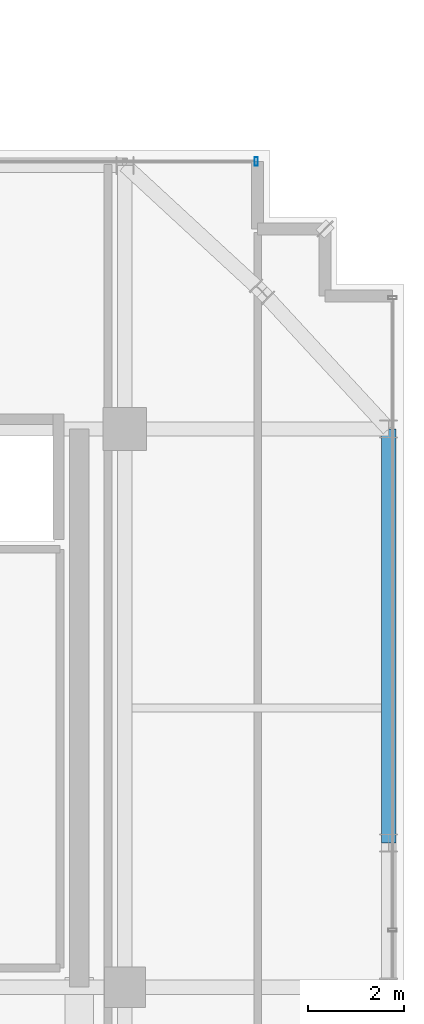
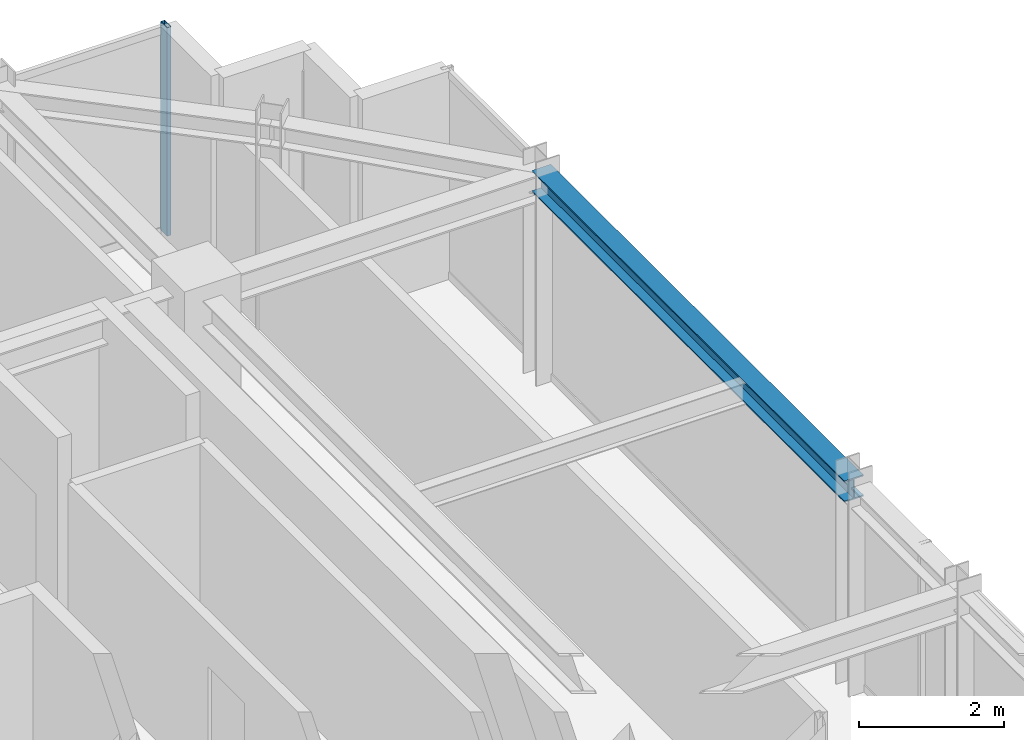
# One storey, part 23 of 36: 1 beam, 1 member, 1 element without a shape of its own.
"""IFC4 building model written with IfcOpenShell, lengths in metres."""

from ifc_helpers import new_model, si_unit, direction, frame, origin, origin_2d, place, context, subcontext, project, spatial, hollow_rectangle, i_section, extrude, source, transform, mapped, material, material_profile, profile_set, type_object, element, aggregate, save


model = new_model("IFC4")

# Units and contexts
model_context = context("Model", 3, precision=1e-05, world=origin(), true_north=direction((0.0, 1.0)))
body_context = subcontext(model_context, "Body", "Model", "MODEL_VIEW")
ifc_project = project(units=[si_unit("LENGTHUNIT", "METRE"), si_unit("AREAUNIT", "SQUARE_METRE"), si_unit("VOLUMEUNIT", "CUBIC_METRE"), si_unit("PLANEANGLEUNIT", "RADIAN"), si_unit("MASSUNIT", "GRAM", prefix="KILO")], contexts=[model_context])

# Site, building, storey
site_placement = place(None, origin())
site = spatial("IfcSite", under=ifc_project, at=site_placement, CompositionType="ELEMENT")
building_placement = place(site_placement, origin())
building = spatial("IfcBuilding", under=site, at=building_placement, Name="Nahalor Promenade Grand Hotel", CompositionType="ELEMENT")
storey_placement = place(building_placement, frame((0.0, 0.0, 319.550048828125)))
storey = spatial("IfcBuildingStorey", under=building, at=storey_placement, Name="L82", CompositionType="ELEMENT", Elevation=319.550048828125)

# Beam
ifc_material_1 = material(Name="Steel S355JR", Category="steel")
ifc_material_profile_1 = material_profile(ifc_material_1, i_section(OverallWidth=0.3, OverallDepth=0.36, WebThickness=0.0125, FlangeThickness=0.0225, at=origin_2d()), Name="HEB 360")
ifc_profile_set_1 = profile_set([ifc_material_profile_1], Name="Steel S355JR")
beam_type = type_object("IfcBeamType", Name="Beam-Spandrel-HEB360", PredefinedType="SPANDREL", material=ifc_profile_set_1)
shared_shape_1 = source(origin(), body_context, "Body", "SweptSolid", [
    extrude(i_section(OverallWidth=0.3, OverallDepth=0.36, WebThickness=0.0125, FlangeThickness=0.0225, at=origin_2d()), origin(), (0.0, 0.0, 1.0), 8.60009765625),
])
beam_placement = place(storey_placement, frame((22.47998046875, 8.39990234375, 3.320068359375), z_axis=(0.0, 1.0, 0.0), x_axis=(-1.0, 0.0, 0.0)))
element("IfcBeam", 1, at=beam_placement, inside=storey, type_object=beam_type, Name="BM-L82-SP-E-4", PredefinedType="SPANDREL", context=body_context, shape_type="MappedRepresentation", body=[
    mapped(shared_shape_1, transform((0.0, 0.0, 0.0), scale=1.0)),
])

# Curtain wall, member
ifc_material_2 = material(Name="Anodised Bronze Aluminium EN AW-6063 T6", Category="aluminium")
curtain_wall_type = type_object("IfcCurtainWallType", Name="CW2 Typical Hotel Flush Bronze Unitised Curtain Wall", PredefinedType="USERDEFINED", material=ifc_material_2)
curtain_wall_placement = place(storey_placement, origin())
curtain_wall = element("IfcCurtainWall", 2, at=curtain_wall_placement, inside=storey, type_object=curtain_wall_type, Name="L82 Curtain Wall CW-L82-N-3", ObjectType="UNITISED_CURTAIN_WALL", PredefinedType="USERDEFINED")
ifc_material_profile_2 = material_profile(ifc_material_2, hollow_rectangle(XDim=0.065, YDim=0.18, WallThickness=0.004, at=origin_2d()), Name="CWM 65x180x4")
ifc_profile_set_2 = profile_set([ifc_material_profile_2], Name="Anodised Bronze Aluminium EN AW-6063 T6")
member_type = type_object("IfcMemberType", Name="CWM2 Typical Bronze Mullion 65x180", PredefinedType="MULLION", material=ifc_profile_set_2)
shared_shape_2 = source(origin(), body_context, "Body", "SweptSolid", [
    extrude(hollow_rectangle(XDim=0.065, YDim=0.18, WallThickness=0.004, at=origin_2d()), origin(), (0.0, 0.0, 1.0), 3.5),
])
member_placement = place(storey_placement, frame((19.7275390625, 22.56005859375, 0.0), z_axis=(0.0, 0.0, 1.0), x_axis=(1.0, 0.0, 0.0)))
member = element("IfcMember", 3, at=member_placement, type_object=member_type, Name="CW-L82-N-3 Mullion 1", PredefinedType="MULLION", context=body_context, shape_type="MappedRepresentation", body=[
    mapped(shared_shape_2, transform((0.0, 0.0, 0.0), scale=1.0)),
])
aggregate(curtain_wall, [member])

save(model, "model.ifc")
